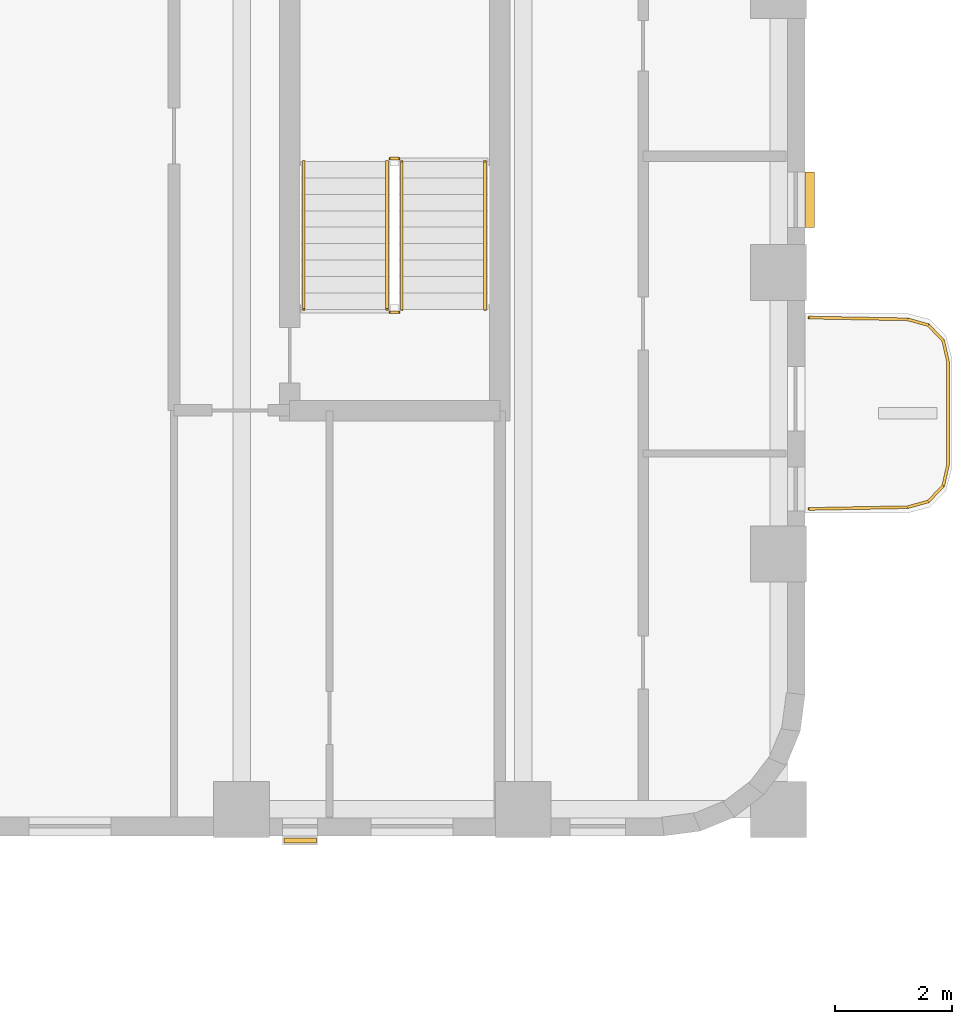
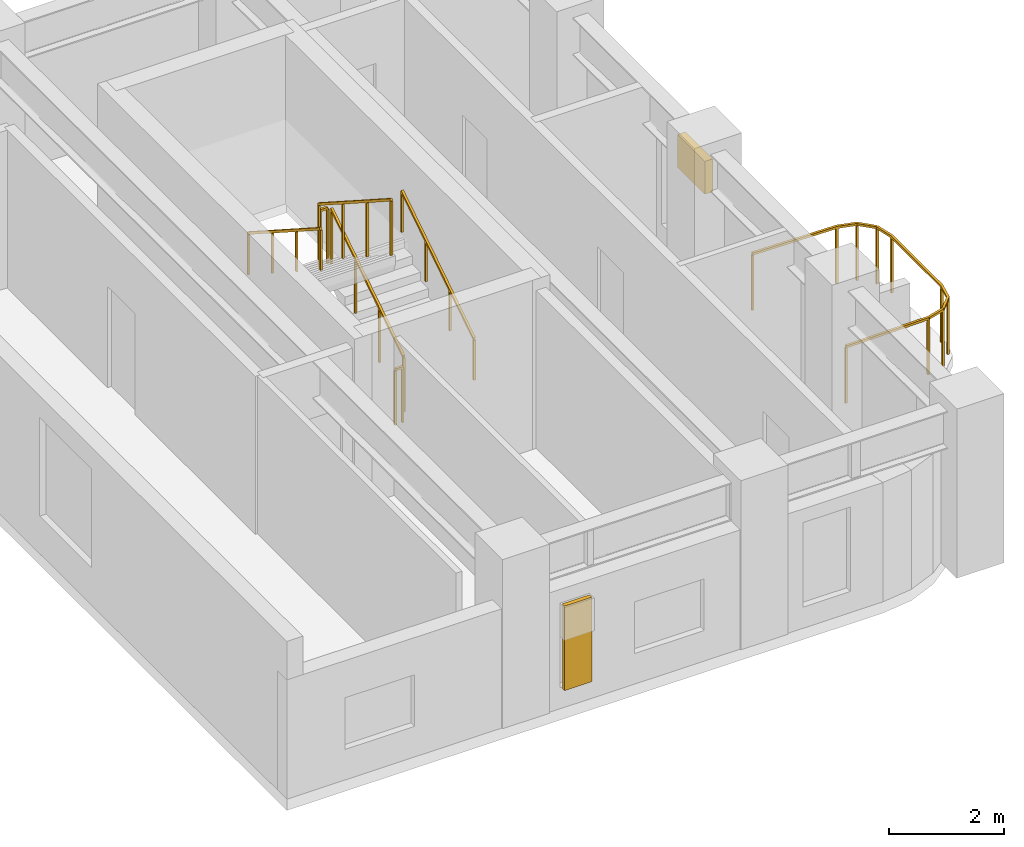
# One storey, part 10 of 11: 7 railings, 2 shading devices.
"""IFC4 building model written with IfcOpenShell, lengths in metres."""

from ifc_helpers import new_model, si_unit, direction, frame, origin, origin_2d, place, context, subcontext, project, spatial, rectangle, extrude, material, type_object, element, save


model = new_model("IFC4")

# Units and contexts
model_context = context("Model", 3, precision=1e-05, world=origin(), true_north=direction((0.0, 1.0)))
body_context = subcontext(model_context, "Body", "Model", "MODEL_VIEW")
ifc_project = project(units=[si_unit("LENGTHUNIT", "METRE"), si_unit("AREAUNIT", "SQUARE_METRE"), si_unit("VOLUMEUNIT", "CUBIC_METRE"), si_unit("PLANEANGLEUNIT", "RADIAN"), si_unit("MASSUNIT", "GRAM", prefix="KILO")], contexts=[model_context])

# Site, building, storey
site_placement = place(None, origin())
site = spatial("IfcSite", under=ifc_project, at=site_placement, CompositionType="ELEMENT")
building_placement = place(site_placement, origin())
building = spatial("IfcBuilding", under=site, at=building_placement, Name="Orvandelia Arch Residences", CompositionType="ELEMENT")
storey_placement = place(building_placement, frame((0.0, 0.0, 168.39990234375)))
storey = spatial("IfcBuildingStorey", under=building, at=storey_placement, Name="L44", CompositionType="ELEMENT", Elevation=168.39990234375)

# Railings
ifc_material_1 = material(Name="Marine-Grade Stainless Steel 316", Category="steel")
railing_type_1 = type_object("IfcRailingType", Name="GRD-BAL-1200", PredefinedType="BALUSTRADE", material=ifc_material_1)
railing_1_placement = place(storey_placement, frame((52.871826171875, 34.36962890625, 0.0)))
element("IfcRailing", 1, at=railing_1_placement, inside=storey, type_object=railing_type_1, Name="Safety Balustrade Guard GRD-L44-BAL-L44-E1-1", PredefinedType="BALUSTRADE", context=body_context, shape_type="SweptSolid", body=[
    extrude(rectangle(XDim=0.048095703125, YDim=0.048095703125, at=origin_2d()), frame((0.0, 0.0, 1.19580078125), z_axis=(0.999837384468, 0.018033430643, 0.0), x_axis=(-0.018033430643, 0.999837384468, 0.0)), (0.0, 0.0, 1.0), 1.6787109375),
    extrude(rectangle(XDim=0.048095703125, YDim=0.048095703125, at=origin_2d()), frame((1.678466796875, 0.0302734375, 1.19580078125), z_axis=(0.96348920644, 0.267747173792, 0.0), x_axis=(-0.267747173792, 0.96348920644, 0.0)), (0.0, 0.0, 1.0), 0.36572265625),
    extrude(rectangle(XDim=0.048095703125, YDim=0.048095703125, at=origin_2d()), frame((2.03076171875, 0.128173828125, 1.19580078125), z_axis=(0.687947031175, 0.725760898848, 0.0), x_axis=(-0.725760898848, 0.687947031175, 0.0)), (0.0, 0.0, 1.0), 0.367919921875),
    extrude(rectangle(XDim=0.048095703125, YDim=0.048095703125, at=origin_2d()), frame((2.283935546875, 0.395263671875, 1.19580078125), z_axis=(0.221225034864, 0.975222786828, 0.0), x_axis=(-0.975222786828, 0.221225034864, 0.0)), (0.0, 0.0, 1.0), 0.373046875),
    extrude(rectangle(XDim=0.048095703125, YDim=0.048095703125, at=origin_2d()), frame((2.366455078125, 0.759033203125, 1.19580078125), z_axis=(0.0, 1.0, 0.0), x_axis=(-1.0, 0.0, 0.0)), (0.0, 0.0, 1.0), 1.74267578125),
    extrude(rectangle(XDim=0.048095703125, YDim=0.048095703125, at=origin_2d()), frame((2.366455078125, 2.501708984375, 1.19580078125), z_axis=(-0.221225034864, 0.975222786828, 0.0), x_axis=(-0.975222786828, -0.221225034864, 0.0)), (0.0, 0.0, 1.0), 0.373046875),
    extrude(rectangle(XDim=0.048095703125, YDim=0.048095703125, at=origin_2d()), frame((2.283935546875, 2.865478515625, 1.19580078125), z_axis=(-0.687947031175, 0.725760898848, 0.0), x_axis=(-0.725760898848, -0.687947031175, 0.0)), (0.0, 0.0, 1.0), 0.367919921875),
    extrude(rectangle(XDim=0.048095703125, YDim=0.048095703125, at=origin_2d()), frame((2.03076171875, 3.132568359375, 1.19580078125), z_axis=(-0.96348920644, 0.267747173792, 0.0), x_axis=(-0.267747173792, -0.96348920644, 0.0)), (0.0, 0.0, 1.0), 0.36572265625),
    extrude(rectangle(XDim=0.048095703125, YDim=0.048095703125, at=origin_2d()), frame((1.678466796875, 3.23046875, 1.19580078125), z_axis=(-0.999837384468, 0.018033430643, 0.0), x_axis=(-0.018033430643, -0.999837384468, 0.0)), (0.0, 0.0, 1.0), 1.6787109375),
    extrude(rectangle(XDim=0.0419921875, YDim=0.0419921875, at=origin_2d()), origin(), (0.0, 0.0, 1.0), 1.171875),
    extrude(rectangle(XDim=0.0419921875, YDim=0.0419921875, at=origin_2d()), frame((1.678466796875, 0.0302734375, 0.0)), (0.0, 0.0, 1.0), 1.171875),
    extrude(rectangle(XDim=0.0419921875, YDim=0.0419921875, at=origin_2d()), frame((2.03076171875, 0.128173828125, 0.0)), (0.0, 0.0, 1.0), 1.171875),
    extrude(rectangle(XDim=0.0419921875, YDim=0.0419921875, at=origin_2d()), frame((2.283935546875, 0.395263671875, 0.0)), (0.0, 0.0, 1.0), 1.171875),
    extrude(rectangle(XDim=0.0419921875, YDim=0.0419921875, at=origin_2d()), frame((2.366455078125, 0.759033203125, 0.0)), (0.0, 0.0, 1.0), 1.171875),
    extrude(rectangle(XDim=0.0419921875, YDim=0.0419921875, at=origin_2d()), frame((2.366455078125, 2.501708984375, 0.0)), (0.0, 0.0, 1.0), 1.171875),
    extrude(rectangle(XDim=0.0419921875, YDim=0.0419921875, at=origin_2d()), frame((2.283935546875, 2.865478515625, 0.0)), (0.0, 0.0, 1.0), 1.171875),
    extrude(rectangle(XDim=0.0419921875, YDim=0.0419921875, at=origin_2d()), frame((2.03076171875, 3.132568359375, 0.0)), (0.0, 0.0, 1.0), 1.171875),
    extrude(rectangle(XDim=0.0419921875, YDim=0.0419921875, at=origin_2d()), frame((1.678466796875, 3.23046875, 0.0)), (0.0, 0.0, 1.0), 1.171875),
    extrude(rectangle(XDim=0.0419921875, YDim=0.0419921875, at=origin_2d()), frame((0.0, 3.2607421875, 0.0)), (0.0, 0.0, 1.0), 1.171875),
])
ifc_material_2 = material(Name="Brushed Stainless Steel 304", Category="steel")
railing_type_2 = type_object("IfcRailingType", Name="RL-STAIR-GD1120", PredefinedType="GUARDRAIL", material=ifc_material_2)
railing_2_placement = place(storey_placement, frame((45.929931640625, 37.77001953125, 0.18017578125)))
element("IfcRailing", 2, at=railing_2_placement, inside=storey, type_object=railing_type_2, Name="L44 ST-3 stair guard 1", PredefinedType="GUARDRAIL", context=body_context, shape_type="SweptSolid", body=[
    extrude(rectangle(XDim=0.048095703125, YDim=0.048095703125, at=origin_2d()), frame((0.0, 0.0, 1.17578125), z_axis=(0.0, 0.841199657755, 0.540724639528), x_axis=(-1.0, 0.0, 0.0)), (0.0, 0.0, 1.0), 2.995849609375),
    extrude(rectangle(XDim=0.0419921875, YDim=0.0419921875, at=origin_2d()), origin(), (0.0, 0.0, 1.0), 1.15185546875),
    extrude(rectangle(XDim=0.0419921875, YDim=0.0419921875, at=origin_2d()), frame((0.0, 0.840087890625, 0.5400390625)), (0.0, 0.0, 1.0), 1.15185546875),
    extrude(rectangle(XDim=0.0419921875, YDim=0.0419921875, at=origin_2d()), frame((0.0, 1.679931640625, 1.079833984375)), (0.0, 0.0, 1.0), 1.15185546875),
    extrude(rectangle(XDim=0.0419921875, YDim=0.0419921875, at=origin_2d()), frame((0.0, 2.52001953125, 1.619873046875)), (0.0, 0.0, 1.0), 1.15185546875),
])
railing_3_placement = place(storey_placement, frame((45.8798828125, 40.340087890625, 1.800048828125)))
element("IfcRailing", 3, at=railing_3_placement, inside=storey, type_object=railing_type_2, Name="L44 ST-3 stair guard 2", PredefinedType="GUARDRAIL", context=body_context, shape_type="SweptSolid", body=[
    extrude(rectangle(XDim=0.048095703125, YDim=0.048095703125, at=origin_2d()), frame((0.0, 0.0, 1.17578125), z_axis=(-1.0, 0.0, 0.0), x_axis=(0.0, -1.0, 0.0)), (0.0, 0.0, 1.0), 0.14990234375),
    extrude(rectangle(XDim=0.0419921875, YDim=0.0419921875, at=origin_2d()), origin(), (0.0, 0.0, 1.0), 1.15185546875),
    extrude(rectangle(XDim=0.0419921875, YDim=0.0419921875, at=origin_2d()), frame((-0.14990234375, 0.0, 0.0)), (0.0, 0.0, 1.0), 1.15185546875),
])
railing_4_placement = place(storey_placement, frame((45.679931640625, 40.2900390625, 1.97998046875)))
element("IfcRailing", 4, at=railing_4_placement, inside=storey, type_object=railing_type_2, Name="L44 ST-3 stair guard 3", PredefinedType="GUARDRAIL", context=body_context, shape_type="SweptSolid", body=[
    extrude(rectangle(XDim=0.048095703125, YDim=0.048095703125, at=origin_2d()), frame((0.0, 0.0, 1.17578125), z_axis=(0.0, -0.841162588446, 0.540782303519), x_axis=(1.0, 0.0, 0.0)), (0.0, 0.0, 1.0), 2.995849609375),
    extrude(rectangle(XDim=0.0419921875, YDim=0.0419921875, at=origin_2d()), origin(), (0.0, 0.0, 1.0), 1.15185546875),
    extrude(rectangle(XDim=0.0419921875, YDim=0.0419921875, at=origin_2d()), frame((0.0, -0.840087890625, 0.5400390625)), (0.0, 0.0, 1.0), 1.15185546875),
    extrude(rectangle(XDim=0.0419921875, YDim=0.0419921875, at=origin_2d()), frame((0.0, -1.679931640625, 1.080078125)), (0.0, 0.0, 1.0), 1.15185546875),
    extrude(rectangle(XDim=0.0419921875, YDim=0.0419921875, at=origin_2d()), frame((0.0, -2.52001953125, 1.6201171875)), (0.0, 0.0, 1.0), 1.15185546875),
])
railing_5_placement = place(storey_placement, frame((45.8798828125, 37.719970703125, 0.0)))
element("IfcRailing", 5, at=railing_5_placement, inside=storey, type_object=railing_type_2, Name="L44 ST-3 stair guard 4", PredefinedType="GUARDRAIL", context=body_context, shape_type="SweptSolid", body=[
    extrude(rectangle(XDim=0.048095703125, YDim=0.048095703125, at=origin_2d()), frame((0.0, 0.0, 1.17578125), z_axis=(-1.0, 0.0, 0.0), x_axis=(0.0, -1.0, 0.0)), (0.0, 0.0, 1.0), 0.14990234375),
    extrude(rectangle(XDim=0.0419921875, YDim=0.0419921875, at=origin_2d()), origin(), (0.0, 0.0, 1.0), 1.15185546875),
    extrude(rectangle(XDim=0.0419921875, YDim=0.0419921875, at=origin_2d()), frame((-0.14990234375, 0.0, 0.0)), (0.0, 0.0, 1.0), 1.15185546875),
])
railing_type_3 = type_object("IfcRailingType", Name="RL-STAIR-HR920", PredefinedType="HANDRAIL", material=ifc_material_2)
railing_6_placement = place(storey_placement, frame((47.35009765625, 37.77001953125, 0.360107421875)))
element("IfcRailing", 6, at=railing_6_placement, inside=storey, type_object=railing_type_3, Name="L44 ST-3 stair handrail 1", PredefinedType="HANDRAIL", context=body_context, shape_type="SweptSolid", body=[
    extrude(rectangle(XDim=0.048095703125, YDim=0.048095703125, at=origin_2d()), frame((0.0, 0.0, 0.8759765625), z_axis=(0.0, 0.841199657755, 0.540724639528), x_axis=(-1.0, 0.0, 0.0)), (0.0, 0.0, 1.0), 2.995849609375),
    extrude(rectangle(XDim=0.0419921875, YDim=0.0419921875, at=origin_2d()), origin(), (0.0, 0.0, 1.0), 0.851806640625),
    extrude(rectangle(XDim=0.0419921875, YDim=0.0419921875, at=origin_2d()), frame((0.0, 0.840087890625, 0.5400390625)), (0.0, 0.0, 1.0), 0.851806640625),
    extrude(rectangle(XDim=0.0419921875, YDim=0.0419921875, at=origin_2d()), frame((0.0, 1.679931640625, 1.079833984375)), (0.0, 0.0, 1.0), 0.851806640625),
    extrude(rectangle(XDim=0.0419921875, YDim=0.0419921875, at=origin_2d()), frame((0.0, 2.52001953125, 1.619873046875)), (0.0, 0.0, 1.0), 0.851806640625),
])
railing_7_placement = place(storey_placement, frame((44.260009765625, 40.2900390625, 2.16015625)))
element("IfcRailing", 7, at=railing_7_placement, inside=storey, type_object=railing_type_3, Name="L44 ST-3 stair handrail 2", PredefinedType="HANDRAIL", context=body_context, shape_type="SweptSolid", body=[
    extrude(rectangle(XDim=0.048095703125, YDim=0.048095703125, at=origin_2d()), frame((0.0, 0.0, 0.8759765625), z_axis=(0.0, -0.841199657755, 0.540724639528), x_axis=(1.0, 0.0, 0.0)), (0.0, 0.0, 1.0), 2.995849609375),
    extrude(rectangle(XDim=0.0419921875, YDim=0.0419921875, at=origin_2d()), origin(), (0.0, 0.0, 1.0), 0.851806640625),
    extrude(rectangle(XDim=0.0419921875, YDim=0.0419921875, at=origin_2d()), frame((0.0, -0.840087890625, 0.5400390625)), (0.0, 0.0, 1.0), 0.851806640625),
    extrude(rectangle(XDim=0.0419921875, YDim=0.0419921875, at=origin_2d()), frame((0.0, -1.679931640625, 1.079833984375)), (0.0, 0.0, 1.0), 0.851806640625),
    extrude(rectangle(XDim=0.0419921875, YDim=0.0419921875, at=origin_2d()), frame((0.0, -2.52001953125, 1.619873046875)), (0.0, 0.0, 1.0), 0.851806640625),
])

# Shading devices
ifc_material_3 = material(Name="Anodised Champagne-Bronze Extruded Aluminium", Category="aluminium")
shading_device_type_1 = type_object("IfcShadingDeviceType", Name="SHD-JALOUSIE-SCREEN", PredefinedType="JALOUSIE", material=ifc_material_3)
shading_device_1_placement = place(storey_placement, frame((52.8798828125, 39.638916015625, 1.55029296875), z_axis=(0.0, 0.0, 1.0), x_axis=(0.0, -1.0, 0.0)))
element("IfcShadingDevice", 8, at=shading_device_1_placement, inside=storey, type_object=shading_device_type_1, Name="Bronze Jalousie Sun-Shade L44-002", PredefinedType="JALOUSIE", context=body_context, shape_type="SweptSolid", body=[
    extrude(rectangle(XDim=0.949951171875, YDim=0.159912109375, at=origin_2d()), origin(), (0.0, 0.0, 1.0), 0.699951171875),
])
ifc_material_4 = material(Name="Marine-Grade Perforated Aluminium Storm Shutter", Category="aluminium")
shading_device_type_2 = type_object("IfcShadingDeviceType", Name="SHD-STORM-SHUTTER", PredefinedType="SHUTTER", material=ifc_material_4)
shading_device_2_placement = place(storey_placement, frame((44.197509765625, 28.719970703125, 0.4501953125), z_axis=(0.0, 0.0, 1.0), x_axis=(-1.0, 0.0, 0.0)))
element("IfcShadingDevice", 9, at=shading_device_2_placement, inside=storey, type_object=shading_device_type_2, Name="Operable Typhoon Storm Shutter L44-003", PredefinedType="SHUTTER", context=body_context, shape_type="SweptSolid", body=[
    extrude(rectangle(XDim=0.550048828125, YDim=0.080078125, at=origin_2d()), origin(), (0.0, 0.0, 1.0), 1.800048828125),
])

save(model, "model.ifc")
